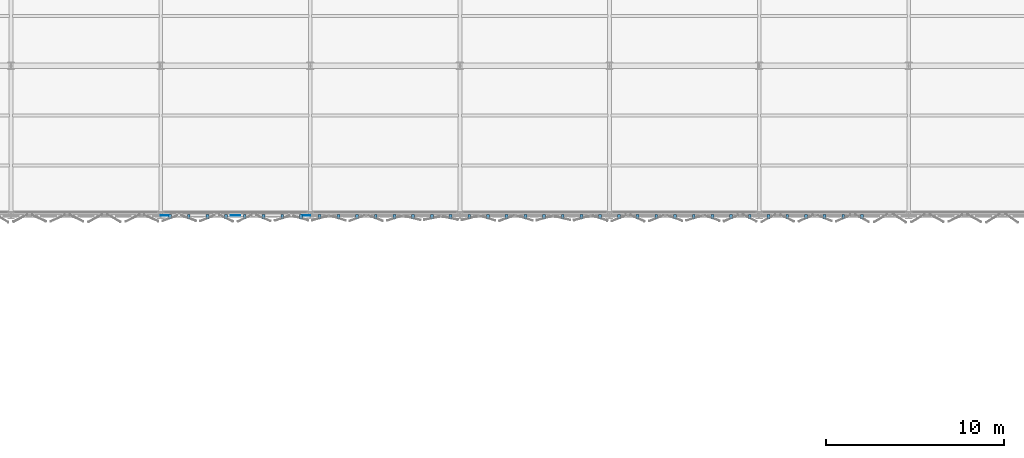
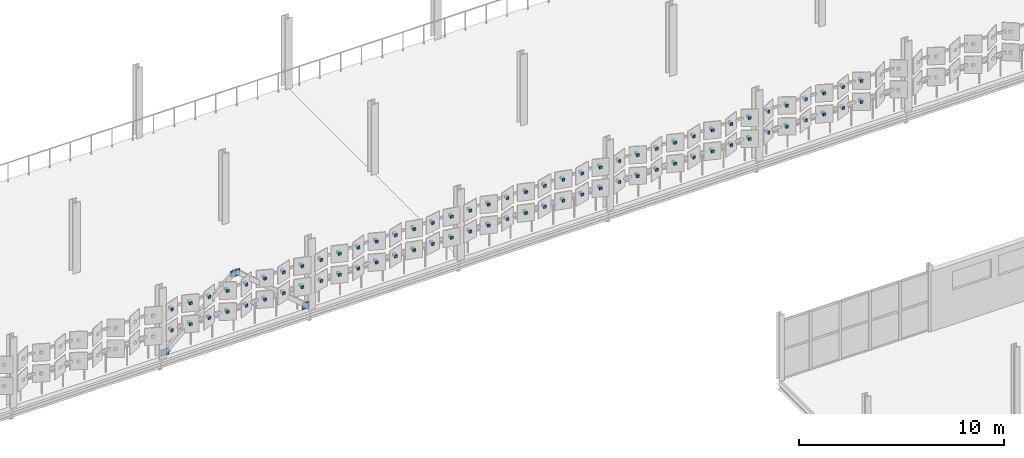
# One storey, part 147 of 163: 79 discrete accessories.
"""IFC4 building model written with IfcOpenShell, lengths in metres."""

import ifcopenshell
import ifcopenshell.guid

model = None  # the IFC model being written
_history = None  # IfcOwnerHistory: only IFC2X3 demands one
_inside = {}  # id of a spatial element -> (the spatial element, [elements in it])
_under = {}  # id of a project, library or spatial element -> (it, [spatial elements below it])
_declared = {}  # id of a project -> (the project, [libraries it declares])
_typed = {}  # id of a type object -> (the type object, [elements of that type])
_made_of = {}  # id of a material, layer set ... -> (it, [elements and type objects made of it])


def new_model(schema):
    """Start an empty IFC model of exactly this schema.

    Asked for "IFC4X3", IfcOpenShell would pick the latest addendum, in which some entities
    have other attributes; the version numbers below select the first issue.
    IFC2X3 requires an IfcOwnerHistory on every rooted entity: one is made here for all.
    """
    global model, _history
    if schema == "IFC4X3":
        model = ifcopenshell.file(schema_version=(4, 3, 0, 0))
    else:
        model = ifcopenshell.file(schema=schema)
    _inside.clear()
    _under.clear()
    _declared.clear()
    _typed.clear()
    _made_of.clear()
    _history = None
    if model.schema == "IFC2X3":
        org = make("IfcOrganization", Name="unknown")
        user = make(
            "IfcPersonAndOrganization",
            ThePerson=make("IfcPerson", FamilyName="unknown"),
            TheOrganization=org,
        )
        app = make(
            "IfcApplication",
            ApplicationDeveloper=org,
            Version="unknown",
            ApplicationFullName="unknown",
            ApplicationIdentifier="unknown",
        )
        _history = make(
            "IfcOwnerHistory",
            OwningUser=user,
            OwningApplication=app,
            ChangeAction="ADDED",
            CreationDate=0,
        )
    return model


def make(cls, **values):
    """One entity of the class cls with the attributes given. An attribute that is None is left unset."""
    return model.create_entity(
        cls, **{name: value for name, value in values.items() if value is not None}
    )


def rooted(cls, **values):
    """An entity with a GlobalId (a new one), such as an element, a storey or a relation."""
    return make(cls, GlobalId=ifcopenshell.guid.new(), OwnerHistory=_history, **values)


def si_unit(unit_type, name, prefix=None):
    """IfcSIUnit, for example si_unit("LENGTHUNIT", "METRE", prefix="MILLI")."""
    return make("IfcSIUnit", UnitType=unit_type, Prefix=prefix, Name=name)


def assignment(units):
    """IfcUnitAssignment: the units of a project."""
    return None if units is None else make("IfcUnitAssignment", Units=units)


def point(xyz):
    """IfcCartesianPoint."""
    return None if xyz is None else make("IfcCartesianPoint", Coordinates=xyz)


def direction(xyz):
    """IfcDirection."""
    return None if xyz is None else make("IfcDirection", DirectionRatios=xyz)


def frame(location, z_axis=None, x_axis=None):
    """IfcAxis2Placement3D, a coordinate frame: its origin and axes. An axis left out is left unset."""
    return make(
        "IfcAxis2Placement3D",
        Location=point(location),
        Axis=direction(z_axis),
        RefDirection=direction(x_axis),
    )


def frame_2d(location, x_axis=None):
    """IfcAxis2Placement2D, a coordinate frame in the plane: its origin and x axis."""
    return make(
        "IfcAxis2Placement2D", Location=point(location), RefDirection=direction(x_axis)
    )


def origin():
    """The frame at (0, 0, 0) with its axes left unset."""
    return frame((0.0, 0.0, 0.0))


def origin_2d():
    """The frame at (0, 0) in the plane with its x axis left unset."""
    return frame_2d((0.0, 0.0))


def place(relative_to, where):
    """IfcLocalPlacement: puts the frame where relative to a parent placement (None: the world)."""
    return make(
        "IfcLocalPlacement", PlacementRelTo=relative_to, RelativePlacement=where
    )


def context(
    kind, dimensions, precision=None, world=None, true_north=None, identifier=None
):
    """IfcGeometricRepresentationContext, for example the 3D "Model" context."""
    return make(
        "IfcGeometricRepresentationContext",
        ContextIdentifier=identifier,
        ContextType=kind,
        CoordinateSpaceDimension=dimensions,
        Precision=precision,
        WorldCoordinateSystem=world,
        TrueNorth=true_north,
    )


def subcontext(parent, identifier, kind, view, scale=None):
    """IfcGeometricRepresentationSubContext, for example "Body" below "Model"."""
    return make(
        "IfcGeometricRepresentationSubContext",
        ContextIdentifier=identifier,
        ContextType=kind,
        ParentContext=parent,
        TargetScale=scale,
        TargetView=view,
    )


def project(units=None, contexts=None):
    """IfcProject with its units and contexts."""
    return rooted(
        "IfcProject",
        Name="project",
        RepresentationContexts=contexts,
        UnitsInContext=assignment(units),
    )


def spatial(cls, under=None, at=None, **own):
    """A site, building, storey or space (cls), placed at a placement, below another one or the project."""
    s = rooted(cls, ObjectPlacement=at, **own)
    if under is not None:
        _under.setdefault(under.id(), (under, []))[1].append(s)
    return s


def profile(cls, at=None, kind="AREA", **sizes):
    """A parametric profile (cls). Its sizes go by their IFC names, for example OverallWidth=200.0."""
    return make(cls, ProfileType=kind, Position=at, **sizes)


def rectangle(**sizes):
    """IfcRectangleProfileDef."""
    return profile("IfcRectangleProfileDef", **sizes)


def extrude(swept, where, along, depth):
    """IfcExtrudedAreaSolid: the profile swept, set in the frame where, extruded along a direction by depth."""
    return make(
        "IfcExtrudedAreaSolid",
        SweptArea=swept,
        Position=where,
        ExtrudedDirection=direction(along),
        Depth=depth,
    )


def shape(context_of_items, identifier, shape_type, items):
    """IfcShapeRepresentation: the items that make up one representation, for example the "Body"."""
    return make(
        "IfcShapeRepresentation",
        ContextOfItems=context_of_items,
        RepresentationIdentifier=identifier,
        RepresentationType=shape_type,
        Items=items,
    )


def material(Name=None, Category=None):
    """IfcMaterial."""
    return make("IfcMaterial", Name=Name, Category=Category)


def made_of(thing, what):
    """Note that an element or type object is made of a material, layer set ...; save() writes the relation."""
    if what is not None:
        _made_of.setdefault(what.id(), (what, []))[1].append(thing)
    return thing


def type_object(cls, material=None, **own):
    """A type object (cls), such as IfcWallType, which elements share."""
    return made_of(rooted(cls, **own), material)


def element(
    cls,
    number,
    at=None,
    inside=None,
    cuts=None,
    type_object=None,
    material=None,
    context=None,
    identifier="Body",
    shape_type=None,
    held_by="IfcProductDefinitionShape",
    body=None,
    shapes=None,
    **own,
):
    """One element of the class cls, such as IfcWall. Its Tag is "e" and its number.

    at: its placement. inside: the storey or other place that contains it. cuts: it is an
    opening in that element (IfcRelVoidsElement). A single representation is given by context,
    identifier, shape_type and body (its items); several are given by shapes. held_by: the class
    of the entity that holds the representations. save() writes the other relations.
    """
    e = rooted(cls, Tag="e%d" % number, ObjectPlacement=at, **own)
    if body is not None:
        shapes = [shape(context, identifier, shape_type, body)]
    if shapes is not None:
        e.Representation = make(held_by, Representations=shapes)
    if inside is not None:
        _inside.setdefault(inside.id(), (inside, []))[1].append(e)
    if cuts is not None:
        rooted(
            "IfcRelVoidsElement", RelatingBuildingElement=cuts, RelatedOpeningElement=e
        )
    if type_object is not None:
        _typed.setdefault(type_object.id(), (type_object, []))[1].append(e)
    return made_of(e, material)


def aggregate(whole, parts):
    """IfcRelAggregates: a whole, such as a stair, and the parts it consists of."""
    return rooted("IfcRelAggregates", RelatingObject=whole, RelatedObjects=parts)


def save(model, path):
    """Write the relations noted so far, then the file.

    IfcRelAggregates (storeys below a building ...), IfcRelContainedInSpatialStructure (elements
    in a storey), IfcRelDefinesByType, IfcRelAssociatesMaterial and IfcRelDeclares: one each for
    every whole, place, type object, material and project.
    """
    for whole, parts in _under.values():
        aggregate(whole, parts)
    for where, things in _inside.values():
        rooted(
            "IfcRelContainedInSpatialStructure",
            RelatedElements=things,
            RelatingStructure=where,
        )
    for kind, things in _typed.values():
        rooted("IfcRelDefinesByType", RelatedObjects=things, RelatingType=kind)
    for what, things in _made_of.values():
        rooted("IfcRelAssociatesMaterial", RelatedObjects=things, RelatingMaterial=what)
    for by, libraries in _declared.values():
        rooted("IfcRelDeclares", RelatingContext=by, RelatedDefinitions=libraries)
    model.write(path)


model = new_model("IFC4")

# Units and contexts
model_context = context("Model", 3, precision=1e-05, world=origin(), true_north=direction((0.0, 1.0)))
body_context = subcontext(model_context, "Body", "Model", "MODEL_VIEW")
ifc_project = project(units=[si_unit("LENGTHUNIT", "METRE"), si_unit("AREAUNIT", "SQUARE_METRE"), si_unit("VOLUMEUNIT", "CUBIC_METRE"), si_unit("PLANEANGLEUNIT", "RADIAN"), si_unit("MASSUNIT", "GRAM", prefix="KILO")], contexts=[model_context])

# Site, building, storey
site_placement = place(None, origin())
site = spatial("IfcSite", under=ifc_project, at=site_placement, CompositionType="ELEMENT")
building_placement = place(site_placement, origin())
building = spatial("IfcBuilding", under=site, at=building_placement, Name="Qalvenar Corner Mobility Hub", CompositionType="ELEMENT")
storey_placement = place(building_placement, frame((0.0, 0.0, 4.800048828125)))
storey = spatial("IfcBuildingStorey", under=building, at=storey_placement, Name="L01", CompositionType="ELEMENT", Elevation=4.800048828125)

# Discrete accessories
ifc_material = material(Name="Steel S355", Category="steel")
discrete_accessory_type_1 = type_object("IfcDiscreteAccessoryType", Name="ACC-GUSSET-PLT", PredefinedType="BRACKET", material=ifc_material)
discrete_accessory_placement = place(storey_placement, frame((88.199951171875, 67.199951171875, 3.330078125), z_axis=(0.0, 0.0, 1.0), x_axis=(1.0, 0.0, 0.0)))
element("IfcDiscreteAccessory", 1, at=discrete_accessory_placement, inside=storey, type_object=discrete_accessory_type_1, Name="Chevron Apex Gusset Plate GP-A-034", PredefinedType="BRACKET", context=body_context, shape_type="SweptSolid", body=[
    extrude(rectangle(XDim=0.52001953125, YDim=0.02490234375, at=origin_2d()), origin(), (0.0, 0.0, 1.0), 0.3798828125),
])
for number, where, z_axis, x_axis, name in (
    (2, (84.219970703125, 67.199951171875, 0.0), (0.0, 0.0, 1.0), (1.0, 0.0, 0.0), "Brace Base Gusset Plate GP-B-035"),
    (3, (92.179931640625, 67.199951171875, 0.0), (0.0, 0.0, 1.0), (1.0, 0.0, 0.0), "Brace Base Gusset Plate GP-B-036"),
):
    element("IfcDiscreteAccessory", number, at=place(storey_placement, frame(where, z_axis=z_axis, x_axis=x_axis)), inside=storey, type_object=discrete_accessory_type_1, Name=name, PredefinedType="BRACKET", context=body_context, shape_type="SweptSolid", body=[
        extrude(rectangle(XDim=0.449951171875, YDim=0.02490234375, at=origin_2d()), origin(), (0.0, 0.0, 1.0), 0.39990234375),
    ])
discrete_accessory_type_2 = type_object("IfcDiscreteAccessoryType", Name="ACC-HINGE-BRK", PredefinedType="BRACKET", material=ifc_material)
for number, where, z_axis, x_axis, name in (
    (4, (84.52490234375, 67.1201171875, 1.419921875), (0.0, 0.0, 1.0), (1.0, 0.0, 0.0), "Panel Hinge Bracket BK-L01-0033"),
    (5, (84.52490234375, 67.1201171875, 2.669921875), (0.0, 0.0, 1.0), (1.0, 0.0, 0.0), "Panel Hinge Bracket BK-L01-0034"),
    (6, (85.574951171875, 67.1201171875, 1.419921875), (0.0, 0.0, 1.0), (1.0, 0.0, 0.0), "Panel Hinge Bracket BK-L01-0035"),
    (7, (85.574951171875, 67.1201171875, 2.669921875), (0.0, 0.0, 1.0), (1.0, 0.0, 0.0), "Panel Hinge Bracket BK-L01-0036"),
    (8, (86.625, 67.1201171875, 1.419921875), (0.0, 0.0, 1.0), (1.0, 0.0, 0.0), "Panel Hinge Bracket BK-L01-0037"),
    (9, (86.625, 67.1201171875, 2.669921875), (0.0, 0.0, 1.0), (1.0, 0.0, 0.0), "Panel Hinge Bracket BK-L01-0038"),
    (10, (87.675048828125, 67.1201171875, 1.419921875), (0.0, 0.0, 1.0), (1.0, 0.0, 0.0), "Panel Hinge Bracket BK-L01-0039"),
    (11, (87.675048828125, 67.1201171875, 2.669921875), (0.0, 0.0, 1.0), (1.0, 0.0, 0.0), "Panel Hinge Bracket BK-L01-0040"),
    (12, (88.72509765625, 67.1201171875, 1.419921875), (0.0, 0.0, 1.0), (1.0, 0.0, 0.0), "Panel Hinge Bracket BK-L01-0041"),
    (13, (88.72509765625, 67.1201171875, 2.669921875), (0.0, 0.0, 1.0), (1.0, 0.0, 0.0), "Panel Hinge Bracket BK-L01-0042"),
    (14, (89.77490234375, 67.1201171875, 1.419921875), (0.0, 0.0, 1.0), (1.0, 0.0, 0.0), "Panel Hinge Bracket BK-L01-0043"),
    (15, (89.77490234375, 67.1201171875, 2.669921875), (0.0, 0.0, 1.0), (1.0, 0.0, 0.0), "Panel Hinge Bracket BK-L01-0044"),
    (16, (90.824951171875, 67.1201171875, 1.419921875), (0.0, 0.0, 1.0), (1.0, 0.0, 0.0), "Panel Hinge Bracket BK-L01-0045"),
    (17, (90.824951171875, 67.1201171875, 2.669921875), (0.0, 0.0, 1.0), (1.0, 0.0, 0.0), "Panel Hinge Bracket BK-L01-0046"),
    (18, (91.875, 67.1201171875, 1.419921875), (0.0, 0.0, 1.0), (1.0, 0.0, 0.0), "Panel Hinge Bracket BK-L01-0047"),
    (19, (91.875, 67.1201171875, 2.669921875), (0.0, 0.0, 1.0), (1.0, 0.0, 0.0), "Panel Hinge Bracket BK-L01-0048"),
    (20, (92.925048828125, 67.1201171875, 1.419921875), (0.0, 0.0, 1.0), (1.0, 0.0, 0.0), "Panel Hinge Bracket BK-L01-0049"),
    (21, (92.925048828125, 67.1201171875, 2.669921875), (0.0, 0.0, 1.0), (1.0, 0.0, 0.0), "Panel Hinge Bracket BK-L01-0050"),
    (22, (93.97509765625, 67.1201171875, 1.419921875), (0.0, 0.0, 1.0), (1.0, 0.0, 0.0), "Panel Hinge Bracket BK-L01-0051"),
    (23, (93.97509765625, 67.1201171875, 2.669921875), (0.0, 0.0, 1.0), (1.0, 0.0, 0.0), "Panel Hinge Bracket BK-L01-0052"),
    (24, (95.02490234375, 67.1201171875, 1.419921875), (0.0, 0.0, 1.0), (1.0, 0.0, 0.0), "Panel Hinge Bracket BK-L01-0053"),
    (25, (95.02490234375, 67.1201171875, 2.669921875), (0.0, 0.0, 1.0), (1.0, 0.0, 0.0), "Panel Hinge Bracket BK-L01-0054"),
    (26, (96.074951171875, 67.1201171875, 1.419921875), (0.0, 0.0, 1.0), (1.0, 0.0, 0.0), "Panel Hinge Bracket BK-L01-0055"),
    (27, (96.074951171875, 67.1201171875, 2.669921875), (0.0, 0.0, 1.0), (1.0, 0.0, 0.0), "Panel Hinge Bracket BK-L01-0056"),
    (28, (97.125, 67.1201171875, 1.419921875), (0.0, 0.0, 1.0), (1.0, 0.0, 0.0), "Panel Hinge Bracket BK-L01-0057"),
    (29, (97.125, 67.1201171875, 2.669921875), (0.0, 0.0, 1.0), (1.0, 0.0, 0.0), "Panel Hinge Bracket BK-L01-0058"),
    (30, (98.175048828125, 67.1201171875, 1.419921875), (0.0, 0.0, 1.0), (1.0, 0.0, 0.0), "Panel Hinge Bracket BK-L01-0059"),
    (31, (98.175048828125, 67.1201171875, 2.669921875), (0.0, 0.0, 1.0), (1.0, 0.0, 0.0), "Panel Hinge Bracket BK-L01-0060"),
    (32, (99.22509765625, 67.1201171875, 1.419921875), (0.0, 0.0, 1.0), (1.0, 0.0, 0.0), "Panel Hinge Bracket BK-L01-0061"),
    (33, (99.22509765625, 67.1201171875, 2.669921875), (0.0, 0.0, 1.0), (1.0, 0.0, 0.0), "Panel Hinge Bracket BK-L01-0062"),
    (34, (100.27490234375, 67.1201171875, 1.419921875), (0.0, 0.0, 1.0), (1.0, 0.0, 0.0), "Panel Hinge Bracket BK-L01-0063"),
    (35, (100.27490234375, 67.1201171875, 2.669921875), (0.0, 0.0, 1.0), (1.0, 0.0, 0.0), "Panel Hinge Bracket BK-L01-0064"),
    (36, (101.324951171875, 67.1201171875, 1.419921875), (0.0, 0.0, 1.0), (1.0, 0.0, 0.0), "Panel Hinge Bracket BK-L01-0065"),
    (37, (101.324951171875, 67.1201171875, 2.669921875), (0.0, 0.0, 1.0), (1.0, 0.0, 0.0), "Panel Hinge Bracket BK-L01-0066"),
    (38, (102.375, 67.1201171875, 1.419921875), (0.0, 0.0, 1.0), (1.0, 0.0, 0.0), "Panel Hinge Bracket BK-L01-0067"),
    (39, (102.375, 67.1201171875, 2.669921875), (0.0, 0.0, 1.0), (1.0, 0.0, 0.0), "Panel Hinge Bracket BK-L01-0068"),
    (40, (103.425048828125, 67.1201171875, 1.419921875), (0.0, 0.0, 1.0), (1.0, 0.0, 0.0), "Panel Hinge Bracket BK-L01-0069"),
    (41, (103.425048828125, 67.1201171875, 2.669921875), (0.0, 0.0, 1.0), (1.0, 0.0, 0.0), "Panel Hinge Bracket BK-L01-0070"),
    (42, (104.47509765625, 67.1201171875, 1.419921875), (0.0, 0.0, 1.0), (1.0, 0.0, 0.0), "Panel Hinge Bracket BK-L01-0071"),
    (43, (104.47509765625, 67.1201171875, 2.669921875), (0.0, 0.0, 1.0), (1.0, 0.0, 0.0), "Panel Hinge Bracket BK-L01-0072"),
    (44, (105.52490234375, 67.1201171875, 1.419921875), (0.0, 0.0, 1.0), (1.0, 0.0, 0.0), "Panel Hinge Bracket BK-L01-0073"),
    (45, (105.52490234375, 67.1201171875, 2.669921875), (0.0, 0.0, 1.0), (1.0, 0.0, 0.0), "Panel Hinge Bracket BK-L01-0074"),
    (46, (106.574951171875, 67.1201171875, 1.419921875), (0.0, 0.0, 1.0), (1.0, 0.0, 0.0), "Panel Hinge Bracket BK-L01-0075"),
    (47, (106.574951171875, 67.1201171875, 2.669921875), (0.0, 0.0, 1.0), (1.0, 0.0, 0.0), "Panel Hinge Bracket BK-L01-0076"),
    (48, (107.625, 67.1201171875, 1.419921875), (0.0, 0.0, 1.0), (1.0, 0.0, 0.0), "Panel Hinge Bracket BK-L01-0077"),
    (49, (107.625, 67.1201171875, 2.669921875), (0.0, 0.0, 1.0), (1.0, 0.0, 0.0), "Panel Hinge Bracket BK-L01-0078"),
    (50, (108.675048828125, 67.1201171875, 1.419921875), (0.0, 0.0, 1.0), (1.0, 0.0, 0.0), "Panel Hinge Bracket BK-L01-0079"),
    (51, (108.675048828125, 67.1201171875, 2.669921875), (0.0, 0.0, 1.0), (1.0, 0.0, 0.0), "Panel Hinge Bracket BK-L01-0080"),
    (52, (109.72509765625, 67.1201171875, 1.419921875), (0.0, 0.0, 1.0), (1.0, 0.0, 0.0), "Panel Hinge Bracket BK-L01-0081"),
    (53, (109.72509765625, 67.1201171875, 2.669921875), (0.0, 0.0, 1.0), (1.0, 0.0, 0.0), "Panel Hinge Bracket BK-L01-0082"),
    (54, (110.77490234375, 67.1201171875, 1.419921875), (0.0, 0.0, 1.0), (1.0, 0.0, 0.0), "Panel Hinge Bracket BK-L01-0083"),
    (55, (110.77490234375, 67.1201171875, 2.669921875), (0.0, 0.0, 1.0), (1.0, 0.0, 0.0), "Panel Hinge Bracket BK-L01-0084"),
    (56, (111.824951171875, 67.1201171875, 1.419921875), (0.0, 0.0, 1.0), (1.0, 0.0, 0.0), "Panel Hinge Bracket BK-L01-0085"),
    (57, (111.824951171875, 67.1201171875, 2.669921875), (0.0, 0.0, 1.0), (1.0, 0.0, 0.0), "Panel Hinge Bracket BK-L01-0086"),
    (58, (112.875, 67.1201171875, 1.419921875), (0.0, 0.0, 1.0), (1.0, 0.0, 0.0), "Panel Hinge Bracket BK-L01-0087"),
    (59, (112.875, 67.1201171875, 2.669921875), (0.0, 0.0, 1.0), (1.0, 0.0, 0.0), "Panel Hinge Bracket BK-L01-0088"),
    (60, (113.925048828125, 67.1201171875, 1.419921875), (0.0, 0.0, 1.0), (1.0, 0.0, 0.0), "Panel Hinge Bracket BK-L01-0089"),
    (61, (113.925048828125, 67.1201171875, 2.669921875), (0.0, 0.0, 1.0), (1.0, 0.0, 0.0), "Panel Hinge Bracket BK-L01-0090"),
    (62, (114.97509765625, 67.1201171875, 1.419921875), (0.0, 0.0, 1.0), (1.0, 0.0, 0.0), "Panel Hinge Bracket BK-L01-0091"),
    (63, (114.97509765625, 67.1201171875, 2.669921875), (0.0, 0.0, 1.0), (1.0, 0.0, 0.0), "Panel Hinge Bracket BK-L01-0092"),
    (64, (116.02490234375, 67.1201171875, 1.419921875), (0.0, 0.0, 1.0), (1.0, 0.0, 0.0), "Panel Hinge Bracket BK-L01-0093"),
    (65, (116.02490234375, 67.1201171875, 2.669921875), (0.0, 0.0, 1.0), (1.0, 0.0, 0.0), "Panel Hinge Bracket BK-L01-0094"),
    (66, (117.074951171875, 67.1201171875, 1.419921875), (0.0, 0.0, 1.0), (1.0, 0.0, 0.0), "Panel Hinge Bracket BK-L01-0095"),
    (67, (117.074951171875, 67.1201171875, 2.669921875), (0.0, 0.0, 1.0), (1.0, 0.0, 0.0), "Panel Hinge Bracket BK-L01-0096"),
    (68, (118.125, 67.1201171875, 1.419921875), (0.0, 0.0, 1.0), (1.0, 0.0, 0.0), "Panel Hinge Bracket BK-L01-0097"),
    (69, (118.125, 67.1201171875, 2.669921875), (0.0, 0.0, 1.0), (1.0, 0.0, 0.0), "Panel Hinge Bracket BK-L01-0098"),
    (70, (119.175048828125, 67.1201171875, 1.419921875), (0.0, 0.0, 1.0), (1.0, 0.0, 0.0), "Panel Hinge Bracket BK-L01-0099"),
    (71, (119.175048828125, 67.1201171875, 2.669921875), (0.0, 0.0, 1.0), (1.0, 0.0, 0.0), "Panel Hinge Bracket BK-L01-0100"),
    (72, (120.22509765625, 67.1201171875, 1.419921875), (0.0, 0.0, 1.0), (1.0, 0.0, 0.0), "Panel Hinge Bracket BK-L01-0101"),
    (73, (120.22509765625, 67.1201171875, 2.669921875), (0.0, 0.0, 1.0), (1.0, 0.0, 0.0), "Panel Hinge Bracket BK-L01-0102"),
    (74, (121.27490234375, 67.1201171875, 1.419921875), (0.0, 0.0, 1.0), (1.0, 0.0, 0.0), "Panel Hinge Bracket BK-L01-0103"),
    (75, (121.27490234375, 67.1201171875, 2.669921875), (0.0, 0.0, 1.0), (1.0, 0.0, 0.0), "Panel Hinge Bracket BK-L01-0104"),
    (76, (122.324951171875, 67.1201171875, 1.419921875), (0.0, 0.0, 1.0), (1.0, 0.0, 0.0), "Panel Hinge Bracket BK-L01-0105"),
    (77, (122.324951171875, 67.1201171875, 2.669921875), (0.0, 0.0, 1.0), (1.0, 0.0, 0.0), "Panel Hinge Bracket BK-L01-0106"),
    (78, (123.375, 67.1201171875, 1.419921875), (0.0, 0.0, 1.0), (1.0, 0.0, 0.0), "Panel Hinge Bracket BK-L01-0107"),
    (79, (123.375, 67.1201171875, 2.669921875), (0.0, 0.0, 1.0), (1.0, 0.0, 0.0), "Panel Hinge Bracket BK-L01-0108"),
):
    element("IfcDiscreteAccessory", number, at=place(storey_placement, frame(where, z_axis=z_axis, x_axis=x_axis)), inside=storey, type_object=discrete_accessory_type_2, Name=name, PredefinedType="BRACKET", context=body_context, shape_type="SweptSolid", body=[
        extrude(rectangle(XDim=0.159912109375, YDim=0.260009765625, at=origin_2d()), origin(), (0.0, 0.0, 1.0), 0.159912109375),
    ])

save(model, "model.ifc")
